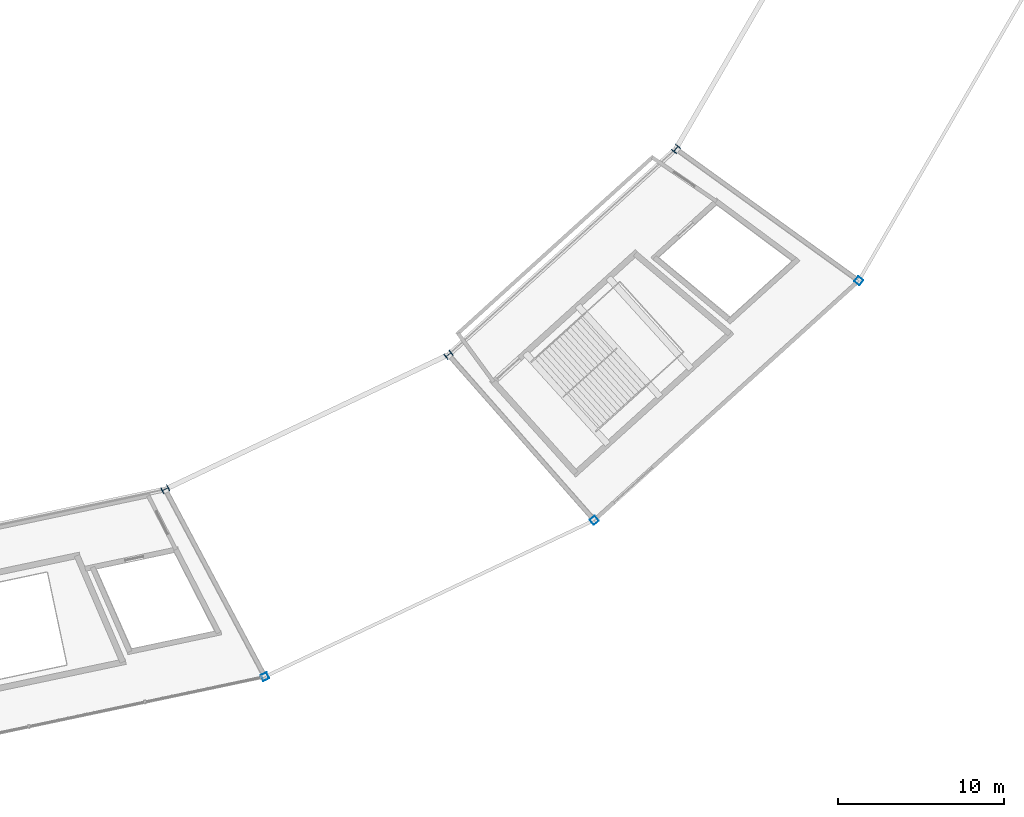
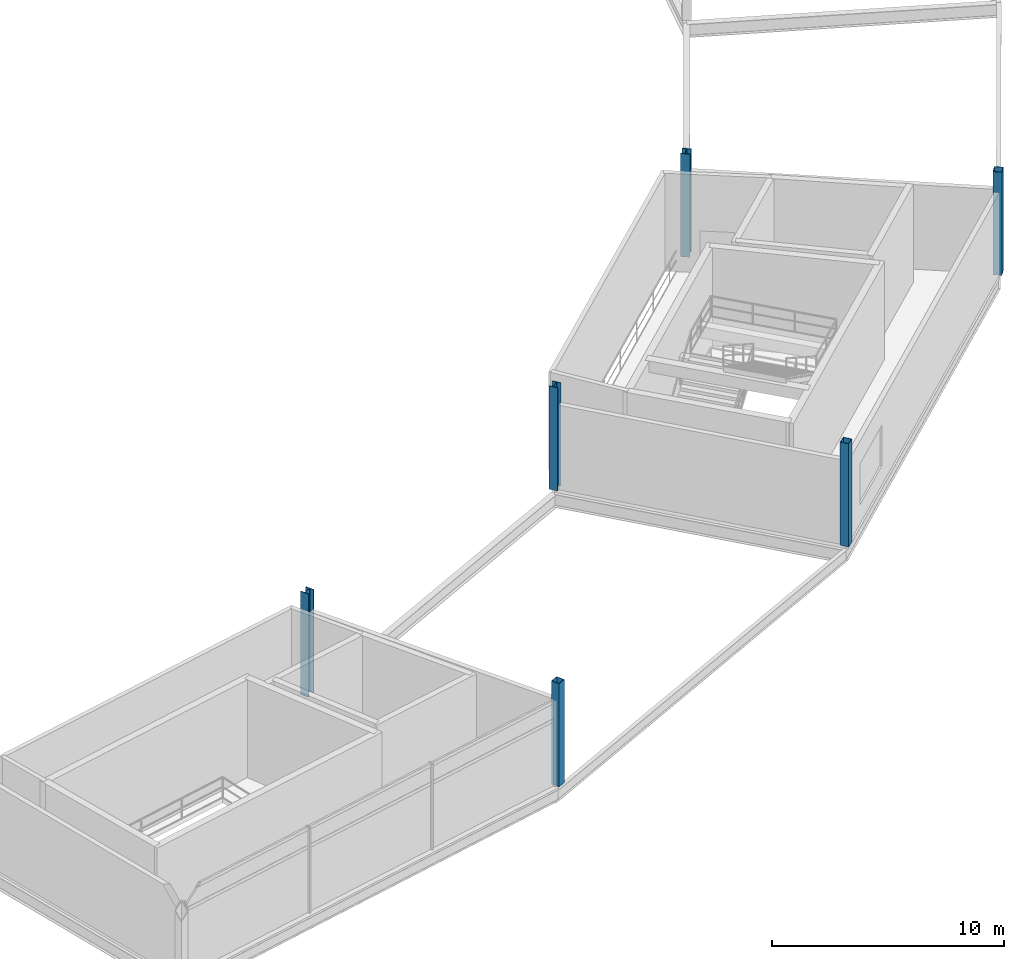
# One storey, part 6 of 86: 6 columns.
"""IFC4 building model written with IfcOpenShell, lengths in metres."""

import ifcopenshell
import ifcopenshell.guid

model = None  # the IFC model being written
_history = None  # IfcOwnerHistory: only IFC2X3 demands one
_inside = {}  # id of a spatial element -> (the spatial element, [elements in it])
_under = {}  # id of a project, library or spatial element -> (it, [spatial elements below it])
_declared = {}  # id of a project -> (the project, [libraries it declares])
_typed = {}  # id of a type object -> (the type object, [elements of that type])
_made_of = {}  # id of a material, layer set ... -> (it, [elements and type objects made of it])


def new_model(schema):
    """Start an empty IFC model of exactly this schema.

    Asked for "IFC4X3", IfcOpenShell would pick the latest addendum, in which some entities
    have other attributes; the version numbers below select the first issue.
    IFC2X3 requires an IfcOwnerHistory on every rooted entity: one is made here for all.
    """
    global model, _history
    if schema == "IFC4X3":
        model = ifcopenshell.file(schema_version=(4, 3, 0, 0))
    else:
        model = ifcopenshell.file(schema=schema)
    _inside.clear()
    _under.clear()
    _declared.clear()
    _typed.clear()
    _made_of.clear()
    _history = None
    if model.schema == "IFC2X3":
        org = make("IfcOrganization", Name="unknown")
        user = make(
            "IfcPersonAndOrganization",
            ThePerson=make("IfcPerson", FamilyName="unknown"),
            TheOrganization=org,
        )
        app = make(
            "IfcApplication",
            ApplicationDeveloper=org,
            Version="unknown",
            ApplicationFullName="unknown",
            ApplicationIdentifier="unknown",
        )
        _history = make(
            "IfcOwnerHistory",
            OwningUser=user,
            OwningApplication=app,
            ChangeAction="ADDED",
            CreationDate=0,
        )
    return model


def make(cls, **values):
    """One entity of the class cls with the attributes given. An attribute that is None is left unset."""
    return model.create_entity(
        cls, **{name: value for name, value in values.items() if value is not None}
    )


def rooted(cls, **values):
    """An entity with a GlobalId (a new one), such as an element, a storey or a relation."""
    return make(cls, GlobalId=ifcopenshell.guid.new(), OwnerHistory=_history, **values)


def si_unit(unit_type, name, prefix=None):
    """IfcSIUnit, for example si_unit("LENGTHUNIT", "METRE", prefix="MILLI")."""
    return make("IfcSIUnit", UnitType=unit_type, Prefix=prefix, Name=name)


def assignment(units):
    """IfcUnitAssignment: the units of a project."""
    return None if units is None else make("IfcUnitAssignment", Units=units)


def point(xyz):
    """IfcCartesianPoint."""
    return None if xyz is None else make("IfcCartesianPoint", Coordinates=xyz)


def direction(xyz):
    """IfcDirection."""
    return None if xyz is None else make("IfcDirection", DirectionRatios=xyz)


def frame(location, z_axis=None, x_axis=None):
    """IfcAxis2Placement3D, a coordinate frame: its origin and axes. An axis left out is left unset."""
    return make(
        "IfcAxis2Placement3D",
        Location=point(location),
        Axis=direction(z_axis),
        RefDirection=direction(x_axis),
    )


def frame_2d(location, x_axis=None):
    """IfcAxis2Placement2D, a coordinate frame in the plane: its origin and x axis."""
    return make(
        "IfcAxis2Placement2D", Location=point(location), RefDirection=direction(x_axis)
    )


def origin():
    """The frame at (0, 0, 0) with its axes left unset."""
    return frame((0.0, 0.0, 0.0))


def origin_2d():
    """The frame at (0, 0) in the plane with its x axis left unset."""
    return frame_2d((0.0, 0.0))


def place(relative_to, where):
    """IfcLocalPlacement: puts the frame where relative to a parent placement (None: the world)."""
    return make(
        "IfcLocalPlacement", PlacementRelTo=relative_to, RelativePlacement=where
    )


def context(
    kind, dimensions, precision=None, world=None, true_north=None, identifier=None
):
    """IfcGeometricRepresentationContext, for example the 3D "Model" context."""
    return make(
        "IfcGeometricRepresentationContext",
        ContextIdentifier=identifier,
        ContextType=kind,
        CoordinateSpaceDimension=dimensions,
        Precision=precision,
        WorldCoordinateSystem=world,
        TrueNorth=true_north,
    )


def subcontext(parent, identifier, kind, view, scale=None):
    """IfcGeometricRepresentationSubContext, for example "Body" below "Model"."""
    return make(
        "IfcGeometricRepresentationSubContext",
        ContextIdentifier=identifier,
        ContextType=kind,
        ParentContext=parent,
        TargetScale=scale,
        TargetView=view,
    )


def project(units=None, contexts=None):
    """IfcProject with its units and contexts."""
    return rooted(
        "IfcProject",
        Name="project",
        RepresentationContexts=contexts,
        UnitsInContext=assignment(units),
    )


def spatial(cls, under=None, at=None, **own):
    """A site, building, storey or space (cls), placed at a placement, below another one or the project."""
    s = rooted(cls, ObjectPlacement=at, **own)
    if under is not None:
        _under.setdefault(under.id(), (under, []))[1].append(s)
    return s


def profile(cls, at=None, kind="AREA", **sizes):
    """A parametric profile (cls). Its sizes go by their IFC names, for example OverallWidth=200.0."""
    return make(cls, ProfileType=kind, Position=at, **sizes)


def hollow_rectangle(**sizes):
    """IfcRectangleHollowProfileDef."""
    return profile("IfcRectangleHollowProfileDef", **sizes)


def i_section(**sizes):
    """IfcIShapeProfileDef."""
    return profile("IfcIShapeProfileDef", **sizes)


def extrude(swept, where, along, depth):
    """IfcExtrudedAreaSolid: the profile swept, set in the frame where, extruded along a direction by depth."""
    return make(
        "IfcExtrudedAreaSolid",
        SweptArea=swept,
        Position=where,
        ExtrudedDirection=direction(along),
        Depth=depth,
    )


def shape(context_of_items, identifier, shape_type, items):
    """IfcShapeRepresentation: the items that make up one representation, for example the "Body"."""
    return make(
        "IfcShapeRepresentation",
        ContextOfItems=context_of_items,
        RepresentationIdentifier=identifier,
        RepresentationType=shape_type,
        Items=items,
    )


def material(Name=None, Category=None):
    """IfcMaterial."""
    return make("IfcMaterial", Name=Name, Category=Category)


def material_profile(
    of_material, cross_section, Name=None, Category=None, Priority=None
):
    """IfcMaterialProfile: a cross section and its material."""
    return make(
        "IfcMaterialProfile",
        Name=Name,
        Material=of_material,
        Profile=cross_section,
        Priority=Priority,
        Category=Category,
    )


def profile_set(profiles, Name=None, composite=None):
    """IfcMaterialProfileSet."""
    return make(
        "IfcMaterialProfileSet",
        Name=Name,
        MaterialProfiles=profiles,
        CompositeProfile=composite,
    )


def made_of(thing, what):
    """Note that an element or type object is made of a material, layer set ...; save() writes the relation."""
    if what is not None:
        _made_of.setdefault(what.id(), (what, []))[1].append(thing)
    return thing


def type_object(cls, material=None, **own):
    """A type object (cls), such as IfcWallType, which elements share."""
    return made_of(rooted(cls, **own), material)


def element(
    cls,
    number,
    at=None,
    inside=None,
    cuts=None,
    type_object=None,
    material=None,
    context=None,
    identifier="Body",
    shape_type=None,
    held_by="IfcProductDefinitionShape",
    body=None,
    shapes=None,
    **own,
):
    """One element of the class cls, such as IfcWall. Its Tag is "e" and its number.

    at: its placement. inside: the storey or other place that contains it. cuts: it is an
    opening in that element (IfcRelVoidsElement). A single representation is given by context,
    identifier, shape_type and body (its items); several are given by shapes. held_by: the class
    of the entity that holds the representations. save() writes the other relations.
    """
    e = rooted(cls, Tag="e%d" % number, ObjectPlacement=at, **own)
    if body is not None:
        shapes = [shape(context, identifier, shape_type, body)]
    if shapes is not None:
        e.Representation = make(held_by, Representations=shapes)
    if inside is not None:
        _inside.setdefault(inside.id(), (inside, []))[1].append(e)
    if cuts is not None:
        rooted(
            "IfcRelVoidsElement", RelatingBuildingElement=cuts, RelatedOpeningElement=e
        )
    if type_object is not None:
        _typed.setdefault(type_object.id(), (type_object, []))[1].append(e)
    return made_of(e, material)


def aggregate(whole, parts):
    """IfcRelAggregates: a whole, such as a stair, and the parts it consists of."""
    return rooted("IfcRelAggregates", RelatingObject=whole, RelatedObjects=parts)


def save(model, path):
    """Write the relations noted so far, then the file.

    IfcRelAggregates (storeys below a building ...), IfcRelContainedInSpatialStructure (elements
    in a storey), IfcRelDefinesByType, IfcRelAssociatesMaterial and IfcRelDeclares: one each for
    every whole, place, type object, material and project.
    """
    for whole, parts in _under.values():
        aggregate(whole, parts)
    for where, things in _inside.values():
        rooted(
            "IfcRelContainedInSpatialStructure",
            RelatedElements=things,
            RelatingStructure=where,
        )
    for kind, things in _typed.values():
        rooted("IfcRelDefinesByType", RelatedObjects=things, RelatingType=kind)
    for what, things in _made_of.values():
        rooted("IfcRelAssociatesMaterial", RelatedObjects=things, RelatingMaterial=what)
    for by, libraries in _declared.values():
        rooted("IfcRelDeclares", RelatingContext=by, RelatedDefinitions=libraries)
    model.write(path)


model = new_model("IFC4")

# Units and contexts
model_context = context("Model", 3, precision=1e-05, world=origin(), true_north=direction((0.0, 1.0)))
body_context = subcontext(model_context, "Body", "Model", "MODEL_VIEW")
ifc_project = project(units=[si_unit("LENGTHUNIT", "METRE"), si_unit("AREAUNIT", "SQUARE_METRE"), si_unit("VOLUMEUNIT", "CUBIC_METRE"), si_unit("PLANEANGLEUNIT", "RADIAN"), si_unit("MASSUNIT", "GRAM", prefix="KILO")], contexts=[model_context])

# Site, building, storey
site_placement = place(None, origin())
site = spatial("IfcSite", under=ifc_project, at=site_placement, CompositionType="ELEMENT")
building_placement = place(site_placement, origin())
building = spatial("IfcBuilding", under=site, at=building_placement, Name="Kazemori Nagisa Stadium", CompositionType="ELEMENT")
storey_placement = place(building_placement, frame((0.0, 0.0, 31.280029296875)))
storey = spatial("IfcBuildingStorey", under=building, at=storey_placement, Name="L06", CompositionType="ELEMENT", Elevation=31.280029296875)

# Columns
ifc_material_1 = material(Name="Steel SN490B", Category="steel")
ifc_material_profile_1 = material_profile(ifc_material_1, i_section(OverallWidth=0.406982421875, OverallDepth=0.427978515625, WebThickness=0.02001953125, FlangeThickness=0.034912109375, FilletRadius=0.012939453125, at=origin_2d()), Name="H-428x407x20x35")
ifc_profile_set_1 = profile_set([ifc_material_profile_1], Name="Steel SN490B")
column_type_1 = type_object("IfcColumnType", Name="Column_C-H428", PredefinedType="COLUMN", material=ifc_profile_set_1)
for number, where, z_axis, x_axis, name in (
    (1, (159.81201171875, 32.80078125, 0.0), (0.0, 0.0, 1.0), (0.433883739113, -0.900968867905, 0.0), "Column C-H428 L06 R2-24"),
    (2, (176.834228515625, 40.88916015625, 0.0), (0.0, 0.0, 1.0), (0.623489801853, -0.781831482473, 0.0), "Column C-H428 L06 R2-25"),
    (3, (190.506103515625, 53.265869140625, 0.0), (0.0, 0.0, 1.0), (0.781831482473, -0.623489801853, 0.0), "Column C-H428 L06 R2-26"),
):
    element("IfcColumn", number, at=place(storey_placement, frame(where, z_axis=z_axis, x_axis=x_axis)), inside=storey, type_object=column_type_1, Name=name, PredefinedType="COLUMN", context=body_context, shape_type="SweptSolid", body=[
        extrude(i_section(OverallWidth=0.406982421875, OverallDepth=0.427978515625, WebThickness=0.02001953125, FlangeThickness=0.034912109375, FilletRadius=0.012939453125, at=origin_2d()), origin(), (0.0, 0.0, 1.0), 5.43994140625),
    ])
ifc_material_2 = material(Name="Steel STKR490", Category="steel")
ifc_material_profile_2 = material_profile(ifc_material_2, hollow_rectangle(XDim=0.39990234375, YDim=0.39990234375, WallThickness=0.01904296875, at=origin_2d()), Name="SHS-400x400x19")
ifc_profile_set_2 = profile_set([ifc_material_profile_2], Name="Steel STKR490")
column_type_2 = type_object("IfcColumnType", Name="Column_C-ST400", PredefinedType="COLUMN", material=ifc_profile_set_2)
for number, where, z_axis, x_axis, name in (
    (4, (165.8046875, 21.53564453125, 0.0), (0.0, 0.0, 1.0), (0.433883739113, -0.900968867905, 0.0), "Column C-ST400 L06 R3-24"),
    (5, (185.597900390625, 30.94091796875, 0.0), (0.0, 0.0, 1.0), (0.623489801853, -0.781831482473, 0.0), "Column C-ST400 L06 R3-25"),
    (6, (201.495361328125, 45.332275390625, 0.0), (0.0, 0.0, 1.0), (0.781831482473, -0.623489801853, 0.0), "Column C-ST400 L06 R3-26"),
):
    element("IfcColumn", number, at=place(storey_placement, frame(where, z_axis=z_axis, x_axis=x_axis)), inside=storey, type_object=column_type_2, Name=name, PredefinedType="COLUMN", context=body_context, shape_type="SweptSolid", body=[
        extrude(hollow_rectangle(XDim=0.39990234375, YDim=0.39990234375, WallThickness=0.01904296875, at=origin_2d()), origin(), (0.0, 0.0, 1.0), 5.43994140625),
    ])

save(model, "model.ifc")
